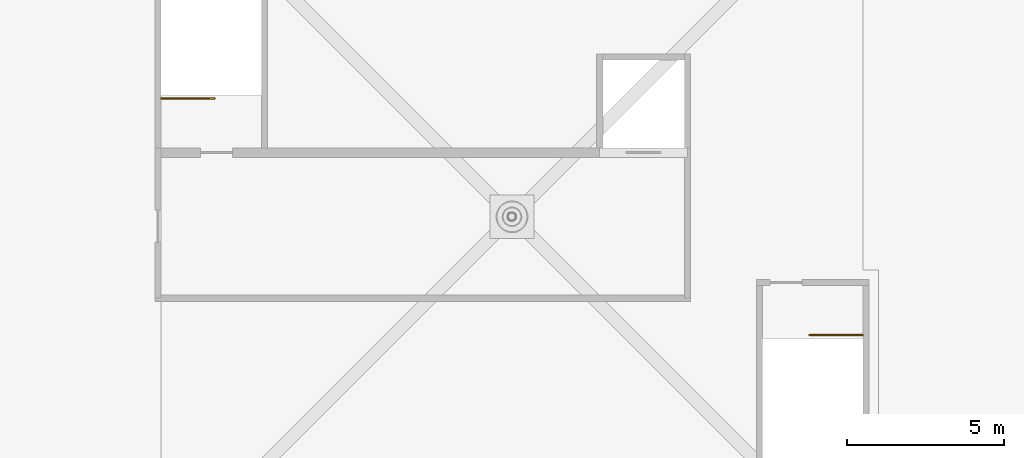
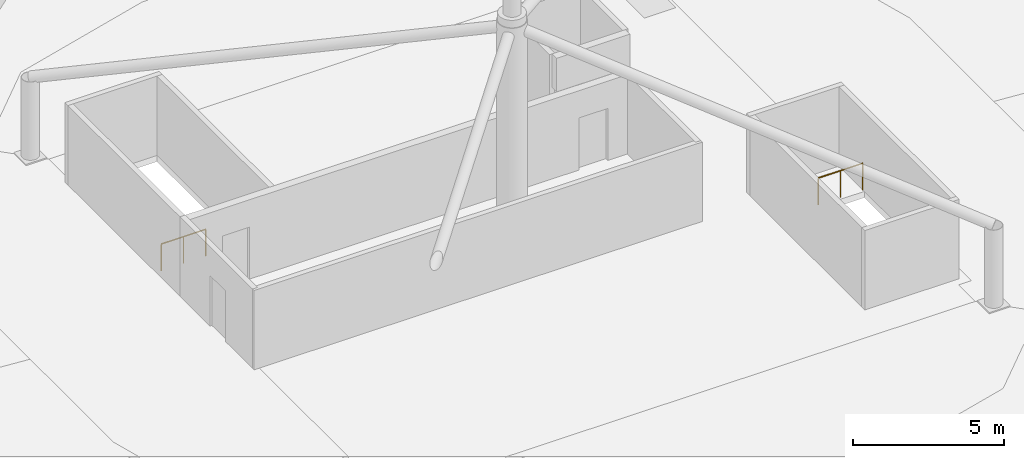
# One storey, part 4 of 4: 2 railings.
"""IFC4 building model written with IfcOpenShell, lengths in metres."""

from ifc_helpers import new_model, si_unit, direction, frame, origin, origin_2d, place, context, subcontext, project, spatial, circle, extrude, material, type_object, element, save


model = new_model("IFC4")

# Units and contexts
model_context = context("Model", 3, precision=1e-05, world=origin(), true_north=direction((0.0, 1.0)))
body_context = subcontext(model_context, "Body", "Model", "MODEL_VIEW")
ifc_project = project(units=[si_unit("LENGTHUNIT", "METRE"), si_unit("AREAUNIT", "SQUARE_METRE"), si_unit("VOLUMEUNIT", "CUBIC_METRE"), si_unit("PLANEANGLEUNIT", "RADIAN"), si_unit("MASSUNIT", "GRAM", prefix="KILO")], contexts=[model_context])

# Site, building, storey
site_placement = place(None, origin())
site = spatial("IfcSite", under=ifc_project, at=site_placement, CompositionType="ELEMENT")
building_placement = place(site_placement, origin())
building = spatial("IfcBuilding", under=site, at=building_placement, Name="Torsade Residences", CompositionType="ELEMENT")
storey_placement = place(building_placement, frame((0.0, 0.0, 308.800048828125)))
storey = spatial("IfcBuildingStorey", under=building, at=storey_placement, Name="RF", CompositionType="ELEMENT", Elevation=308.800048828125)

# Railings
ifc_material = material(Name="Steel", Category="steel")
railing_type = type_object("IfcRailingType", Name="STAIR WELL GUARD 1100", PredefinedType="GUARDRAIL", material=ifc_material)
railing_1_placement = place(storey_placement, frame((28.800048828125, 33.780029296875, 0.0)))
element("IfcRailing", 1, at=railing_1_placement, inside=storey, type_object=railing_type, Name="Stair well guard ST1 RF", PredefinedType="GUARDRAIL", context=body_context, shape_type="SweptSolid", body=[
    extrude(circle(Radius=0.02392578125, at=origin_2d()), frame((0.0, 0.0, 1.076171875), z_axis=(1.0, 0.0, 0.0), x_axis=(0.0, 1.0, 0.0)), (0.0, 0.0, 1.0), 1.699951171875),
    extrude(circle(Radius=0.02099609375, at=origin_2d()), origin(), (0.0, 0.0, 1.0), 1.052001953125),
    extrude(circle(Radius=0.02099609375, at=origin_2d()), frame((0.85009765625, 0.0, 0.0)), (0.0, 0.0, 1.0), 1.052001953125),
    extrude(circle(Radius=0.02099609375, at=origin_2d()), frame((1.699951171875, 0.0, 0.0)), (0.0, 0.0, 1.0), 1.052001953125),
])
railing_2_placement = place(storey_placement, frame((51.199951171875, 26.219970703125, 0.0)))
element("IfcRailing", 2, at=railing_2_placement, inside=storey, type_object=railing_type, Name="Stair well guard ST2 RF", PredefinedType="GUARDRAIL", context=body_context, shape_type="SweptSolid", body=[
    extrude(circle(Radius=0.02392578125, at=origin_2d()), frame((0.0, 0.0, 1.076171875), z_axis=(-1.0, 0.0, 0.0), x_axis=(0.0, -1.0, 0.0)), (0.0, 0.0, 1.0), 1.699951171875),
    extrude(circle(Radius=0.02099609375, at=origin_2d()), origin(), (0.0, 0.0, 1.0), 1.052001953125),
    extrude(circle(Radius=0.02099609375, at=origin_2d()), frame((-0.85009765625, 0.0, 0.0)), (0.0, 0.0, 1.0), 1.052001953125),
    extrude(circle(Radius=0.02099609375, at=origin_2d()), frame((-1.699951171875, 0.0, 0.0)), (0.0, 0.0, 1.0), 1.052001953125),
])

save(model, "model.ifc")
